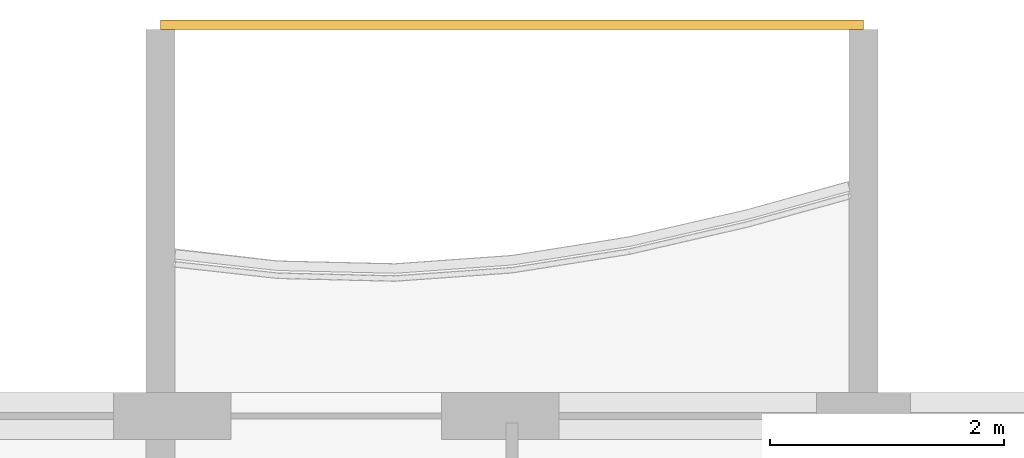
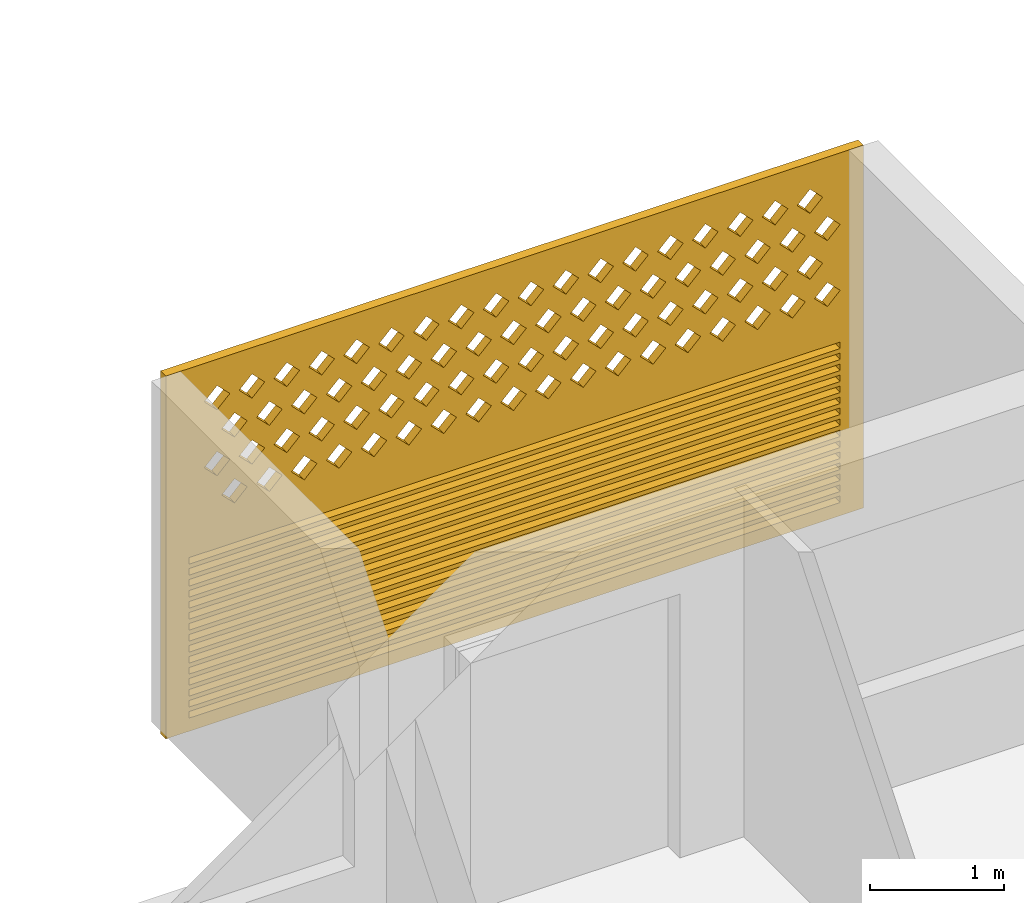
# One storey, part 25 of 27: 1 covering.
"""IFC4 building model written with IfcOpenShell, lengths in metres."""

from ifc_helpers import new_model, si_unit, direction, frame, origin, place, context, subcontext, project, spatial, polyline, outline, extrude, source, transform, mapped, material, material_profile, profile_set, type_object, element, save


model = new_model("IFC4")

# Units and contexts
model_context = context("Model", 3, precision=1e-05, world=origin(), true_north=direction((0.0, 1.0)))
body_context = subcontext(model_context, "Body", "Model", "MODEL_VIEW")
ifc_project = project(units=[si_unit("LENGTHUNIT", "METRE"), si_unit("AREAUNIT", "SQUARE_METRE"), si_unit("VOLUMEUNIT", "CUBIC_METRE"), si_unit("PLANEANGLEUNIT", "RADIAN"), si_unit("MASSUNIT", "GRAM", prefix="KILO")], contexts=[model_context])

# Site, building, storey
site_placement = place(None, origin())
site = spatial("IfcSite", under=ifc_project, at=site_placement, CompositionType="ELEMENT")
building_placement = place(site_placement, origin())
building = spatial("IfcBuilding", under=site, at=building_placement, Name="Poui Terraces", CompositionType="ELEMENT")
storey_placement = place(building_placement, frame((0.0, 0.0, 201.60009765625)))
storey = spatial("IfcBuildingStorey", under=building, at=storey_placement, Name="L56", CompositionType="ELEMENT", Elevation=201.60009765625)

# Covering
ifc_material = material(Name="Terracotta screen", Category="masonry")
ifc_material_profile = material_profile(ifc_material, outline(polyline([(-3.0, -1.64990234375), (3.0, -1.64990234375), (3.0, 1.64990234375), (-3.0, 1.64990234375), (-3.0, -1.64990234375)]), holes=[polyline([(-2.800048828125, 0.39990234375), (-2.68994140625, 0.2900390625), (-2.580078125, 0.39990234375), (-2.68994140625, 0.510009765625), (-2.800048828125, 0.39990234375)]), polyline([(-2.5, 0.39990234375), (-2.389892578125, 0.2900390625), (-2.280029296875, 0.39990234375), (-2.389892578125, 0.510009765625), (-2.5, 0.39990234375)]), polyline([(-2.199951171875, 0.39990234375), (-2.090087890625, 0.2900390625), (-1.97998046875, 0.39990234375), (-2.090087890625, 0.510009765625), (-2.199951171875, 0.39990234375)]), polyline([(-1.89990234375, 0.39990234375), (-1.7900390625, 0.2900390625), (-1.679931640625, 0.39990234375), (-1.7900390625, 0.510009765625), (-1.89990234375, 0.39990234375)]), polyline([(-1.60009765625, 0.39990234375), (-1.489990234375, 0.2900390625), (-1.3798828125, 0.39990234375), (-1.489990234375, 0.510009765625), (-1.60009765625, 0.39990234375)]), polyline([(-1.300048828125, 0.39990234375), (-1.18994140625, 0.2900390625), (-1.080078125, 0.39990234375), (-1.18994140625, 0.510009765625), (-1.300048828125, 0.39990234375)]), polyline([(-1.0, 0.39990234375), (-0.889892578125, 0.2900390625), (-0.780029296875, 0.39990234375), (-0.889892578125, 0.510009765625), (-1.0, 0.39990234375)]), polyline([(-0.699951171875, 0.39990234375), (-0.590087890625, 0.2900390625), (-0.47998046875, 0.39990234375), (-0.590087890625, 0.510009765625), (-0.699951171875, 0.39990234375)]), polyline([(-0.39990234375, 0.39990234375), (-0.2900390625, 0.2900390625), (-0.179931640625, 0.39990234375), (-0.2900390625, 0.510009765625), (-0.39990234375, 0.39990234375)]), polyline([(-0.10009765625, 0.39990234375), (0.010009765625, 0.2900390625), (0.1201171875, 0.39990234375), (0.010009765625, 0.510009765625), (-0.10009765625, 0.39990234375)]), polyline([(0.199951171875, 0.39990234375), (0.31005859375, 0.2900390625), (0.419921875, 0.39990234375), (0.31005859375, 0.510009765625), (0.199951171875, 0.39990234375)]), polyline([(0.5, 0.39990234375), (0.610107421875, 0.2900390625), (0.719970703125, 0.39990234375), (0.610107421875, 0.510009765625), (0.5, 0.39990234375)]), polyline([(0.800048828125, 0.39990234375), (0.909912109375, 0.2900390625), (1.02001953125, 0.39990234375), (0.909912109375, 0.510009765625), (0.800048828125, 0.39990234375)]), polyline([(1.10009765625, 0.39990234375), (1.2099609375, 0.2900390625), (1.320068359375, 0.39990234375), (1.2099609375, 0.510009765625), (1.10009765625, 0.39990234375)]), polyline([(1.39990234375, 0.39990234375), (1.510009765625, 0.2900390625), (1.6201171875, 0.39990234375), (1.510009765625, 0.510009765625), (1.39990234375, 0.39990234375)]), polyline([(1.699951171875, 0.39990234375), (1.81005859375, 0.2900390625), (1.919921875, 0.39990234375), (1.81005859375, 0.510009765625), (1.699951171875, 0.39990234375)]), polyline([(2.0, 0.39990234375), (2.110107421875, 0.2900390625), (2.219970703125, 0.39990234375), (2.110107421875, 0.510009765625), (2.0, 0.39990234375)]), polyline([(2.300048828125, 0.39990234375), (2.409912109375, 0.2900390625), (2.52001953125, 0.39990234375), (2.409912109375, 0.510009765625), (2.300048828125, 0.39990234375)]), polyline([(-2.64990234375, 0.699951171875), (-2.5400390625, 0.590087890625), (-2.429931640625, 0.699951171875), (-2.5400390625, 0.81005859375), (-2.64990234375, 0.699951171875)]), polyline([(-2.35009765625, 0.699951171875), (-2.239990234375, 0.590087890625), (-2.1298828125, 0.699951171875), (-2.239990234375, 0.81005859375), (-2.35009765625, 0.699951171875)]), polyline([(-2.050048828125, 0.699951171875), (-1.93994140625, 0.590087890625), (-1.830078125, 0.699951171875), (-1.93994140625, 0.81005859375), (-2.050048828125, 0.699951171875)]), polyline([(-1.75, 0.699951171875), (-1.639892578125, 0.590087890625), (-1.530029296875, 0.699951171875), (-1.639892578125, 0.81005859375), (-1.75, 0.699951171875)]), polyline([(-1.449951171875, 0.699951171875), (-1.340087890625, 0.590087890625), (-1.22998046875, 0.699951171875), (-1.340087890625, 0.81005859375), (-1.449951171875, 0.699951171875)]), polyline([(-1.14990234375, 0.699951171875), (-1.0400390625, 0.590087890625), (-0.929931640625, 0.699951171875), (-1.0400390625, 0.81005859375), (-1.14990234375, 0.699951171875)]), polyline([(-0.85009765625, 0.699951171875), (-0.739990234375, 0.590087890625), (-0.6298828125, 0.699951171875), (-0.739990234375, 0.81005859375), (-0.85009765625, 0.699951171875)]), polyline([(-0.550048828125, 0.699951171875), (-0.43994140625, 0.590087890625), (-0.330078125, 0.699951171875), (-0.43994140625, 0.81005859375), (-0.550048828125, 0.699951171875)]), polyline([(-0.25, 0.699951171875), (-0.139892578125, 0.590087890625), (-0.030029296875, 0.699951171875), (-0.139892578125, 0.81005859375), (-0.25, 0.699951171875)]), polyline([(0.050048828125, 0.699951171875), (0.159912109375, 0.590087890625), (0.27001953125, 0.699951171875), (0.159912109375, 0.81005859375), (0.050048828125, 0.699951171875)]), polyline([(0.35009765625, 0.699951171875), (0.4599609375, 0.590087890625), (0.570068359375, 0.699951171875), (0.4599609375, 0.81005859375), (0.35009765625, 0.699951171875)]), polyline([(0.64990234375, 0.699951171875), (0.760009765625, 0.590087890625), (0.8701171875, 0.699951171875), (0.760009765625, 0.81005859375), (0.64990234375, 0.699951171875)]), polyline([(0.949951171875, 0.699951171875), (1.06005859375, 0.590087890625), (1.169921875, 0.699951171875), (1.06005859375, 0.81005859375), (0.949951171875, 0.699951171875)]), polyline([(1.25, 0.699951171875), (1.360107421875, 0.590087890625), (1.469970703125, 0.699951171875), (1.360107421875, 0.81005859375), (1.25, 0.699951171875)]), polyline([(1.550048828125, 0.699951171875), (1.659912109375, 0.590087890625), (1.77001953125, 0.699951171875), (1.659912109375, 0.81005859375), (1.550048828125, 0.699951171875)]), polyline([(1.85009765625, 0.699951171875), (1.9599609375, 0.590087890625), (2.070068359375, 0.699951171875), (1.9599609375, 0.81005859375), (1.85009765625, 0.699951171875)]), polyline([(2.14990234375, 0.699951171875), (2.260009765625, 0.590087890625), (2.3701171875, 0.699951171875), (2.260009765625, 0.81005859375), (2.14990234375, 0.699951171875)]), polyline([(2.449951171875, 0.699951171875), (2.56005859375, 0.590087890625), (2.669921875, 0.699951171875), (2.56005859375, 0.81005859375), (2.449951171875, 0.699951171875)]), polyline([(-2.800048828125, 1.0), (-2.68994140625, 0.889892578125), (-2.580078125, 1.0), (-2.68994140625, 1.110107421875), (-2.800048828125, 1.0)]), polyline([(-2.5, 1.0), (-2.389892578125, 0.889892578125), (-2.280029296875, 1.0), (-2.389892578125, 1.110107421875), (-2.5, 1.0)]), polyline([(-2.199951171875, 1.0), (-2.090087890625, 0.889892578125), (-1.97998046875, 1.0), (-2.090087890625, 1.110107421875), (-2.199951171875, 1.0)]), polyline([(-1.89990234375, 1.0), (-1.7900390625, 0.889892578125), (-1.679931640625, 1.0), (-1.7900390625, 1.110107421875), (-1.89990234375, 1.0)]), polyline([(-1.60009765625, 1.0), (-1.489990234375, 0.889892578125), (-1.3798828125, 1.0), (-1.489990234375, 1.110107421875), (-1.60009765625, 1.0)]), polyline([(-1.300048828125, 1.0), (-1.18994140625, 0.889892578125), (-1.080078125, 1.0), (-1.18994140625, 1.110107421875), (-1.300048828125, 1.0)]), polyline([(-1.0, 1.0), (-0.889892578125, 0.889892578125), (-0.780029296875, 1.0), (-0.889892578125, 1.110107421875), (-1.0, 1.0)]), polyline([(-0.699951171875, 1.0), (-0.590087890625, 0.889892578125), (-0.47998046875, 1.0), (-0.590087890625, 1.110107421875), (-0.699951171875, 1.0)]), polyline([(-0.39990234375, 1.0), (-0.2900390625, 0.889892578125), (-0.179931640625, 1.0), (-0.2900390625, 1.110107421875), (-0.39990234375, 1.0)]), polyline([(-0.10009765625, 1.0), (0.010009765625, 0.889892578125), (0.1201171875, 1.0), (0.010009765625, 1.110107421875), (-0.10009765625, 1.0)]), polyline([(0.199951171875, 1.0), (0.31005859375, 0.889892578125), (0.419921875, 1.0), (0.31005859375, 1.110107421875), (0.199951171875, 1.0)]), polyline([(0.5, 1.0), (0.610107421875, 0.889892578125), (0.719970703125, 1.0), (0.610107421875, 1.110107421875), (0.5, 1.0)]), polyline([(0.800048828125, 1.0), (0.909912109375, 0.889892578125), (1.02001953125, 1.0), (0.909912109375, 1.110107421875), (0.800048828125, 1.0)]), polyline([(1.10009765625, 1.0), (1.2099609375, 0.889892578125), (1.320068359375, 1.0), (1.2099609375, 1.110107421875), (1.10009765625, 1.0)]), polyline([(1.39990234375, 1.0), (1.510009765625, 0.889892578125), (1.6201171875, 1.0), (1.510009765625, 1.110107421875), (1.39990234375, 1.0)]), polyline([(1.699951171875, 1.0), (1.81005859375, 0.889892578125), (1.919921875, 1.0), (1.81005859375, 1.110107421875), (1.699951171875, 1.0)]), polyline([(2.0, 1.0), (2.110107421875, 0.889892578125), (2.219970703125, 1.0), (2.110107421875, 1.110107421875), (2.0, 1.0)]), polyline([(2.300048828125, 1.0), (2.409912109375, 0.889892578125), (2.52001953125, 1.0), (2.409912109375, 1.110107421875), (2.300048828125, 1.0)]), polyline([(-2.64990234375, 1.300048828125), (-2.5400390625, 1.18994140625), (-2.429931640625, 1.300048828125), (-2.5400390625, 1.409912109375), (-2.64990234375, 1.300048828125)]), polyline([(-2.35009765625, 1.300048828125), (-2.239990234375, 1.18994140625), (-2.1298828125, 1.300048828125), (-2.239990234375, 1.409912109375), (-2.35009765625, 1.300048828125)]), polyline([(-2.050048828125, 1.300048828125), (-1.93994140625, 1.18994140625), (-1.830078125, 1.300048828125), (-1.93994140625, 1.409912109375), (-2.050048828125, 1.300048828125)]), polyline([(-1.75, 1.300048828125), (-1.639892578125, 1.18994140625), (-1.530029296875, 1.300048828125), (-1.639892578125, 1.409912109375), (-1.75, 1.300048828125)]), polyline([(-1.449951171875, 1.300048828125), (-1.340087890625, 1.18994140625), (-1.22998046875, 1.300048828125), (-1.340087890625, 1.409912109375), (-1.449951171875, 1.300048828125)]), polyline([(-1.14990234375, 1.300048828125), (-1.0400390625, 1.18994140625), (-0.929931640625, 1.300048828125), (-1.0400390625, 1.409912109375), (-1.14990234375, 1.300048828125)]), polyline([(-0.85009765625, 1.300048828125), (-0.739990234375, 1.18994140625), (-0.6298828125, 1.300048828125), (-0.739990234375, 1.409912109375), (-0.85009765625, 1.300048828125)]), polyline([(-0.550048828125, 1.300048828125), (-0.43994140625, 1.18994140625), (-0.330078125, 1.300048828125), (-0.43994140625, 1.409912109375), (-0.550048828125, 1.300048828125)]), polyline([(-0.25, 1.300048828125), (-0.139892578125, 1.18994140625), (-0.030029296875, 1.300048828125), (-0.139892578125, 1.409912109375), (-0.25, 1.300048828125)]), polyline([(0.050048828125, 1.300048828125), (0.159912109375, 1.18994140625), (0.27001953125, 1.300048828125), (0.159912109375, 1.409912109375), (0.050048828125, 1.300048828125)]), polyline([(0.35009765625, 1.300048828125), (0.4599609375, 1.18994140625), (0.570068359375, 1.300048828125), (0.4599609375, 1.409912109375), (0.35009765625, 1.300048828125)]), polyline([(0.64990234375, 1.300048828125), (0.760009765625, 1.18994140625), (0.8701171875, 1.300048828125), (0.760009765625, 1.409912109375), (0.64990234375, 1.300048828125)]), polyline([(0.949951171875, 1.300048828125), (1.06005859375, 1.18994140625), (1.169921875, 1.300048828125), (1.06005859375, 1.409912109375), (0.949951171875, 1.300048828125)]), polyline([(1.25, 1.300048828125), (1.360107421875, 1.18994140625), (1.469970703125, 1.300048828125), (1.360107421875, 1.409912109375), (1.25, 1.300048828125)]), polyline([(1.550048828125, 1.300048828125), (1.659912109375, 1.18994140625), (1.77001953125, 1.300048828125), (1.659912109375, 1.409912109375), (1.550048828125, 1.300048828125)]), polyline([(1.85009765625, 1.300048828125), (1.9599609375, 1.18994140625), (2.070068359375, 1.300048828125), (1.9599609375, 1.409912109375), (1.85009765625, 1.300048828125)]), polyline([(2.14990234375, 1.300048828125), (2.260009765625, 1.18994140625), (2.3701171875, 1.300048828125), (2.260009765625, 1.409912109375), (2.14990234375, 1.300048828125)]), polyline([(2.449951171875, 1.300048828125), (2.56005859375, 1.18994140625), (2.669921875, 1.300048828125), (2.56005859375, 1.409912109375), (2.449951171875, 1.300048828125)]), polyline([(-2.800048828125, -1.530029296875), (2.800048828125, -1.530029296875), (2.800048828125, -1.469970703125), (-2.800048828125, -1.469970703125), (-2.800048828125, -1.530029296875)]), polyline([(-2.800048828125, -1.429931640625), (2.800048828125, -1.429931640625), (2.800048828125, -1.3701171875), (-2.800048828125, -1.3701171875), (-2.800048828125, -1.429931640625)]), polyline([(-2.800048828125, -1.330078125), (2.800048828125, -1.330078125), (2.800048828125, -1.27001953125), (-2.800048828125, -1.27001953125), (-2.800048828125, -1.330078125)]), polyline([(-2.800048828125, -1.22998046875), (2.800048828125, -1.22998046875), (2.800048828125, -1.169921875), (-2.800048828125, -1.169921875), (-2.800048828125, -1.22998046875)]), polyline([(-2.800048828125, -1.1298828125), (2.800048828125, -1.1298828125), (2.800048828125, -1.070068359375), (-2.800048828125, -1.070068359375), (-2.800048828125, -1.1298828125)]), polyline([(-2.800048828125, -1.030029296875), (2.800048828125, -1.030029296875), (2.800048828125, -0.969970703125), (-2.800048828125, -0.969970703125), (-2.800048828125, -1.030029296875)]), polyline([(-2.800048828125, -0.929931640625), (2.800048828125, -0.929931640625), (2.800048828125, -0.8701171875), (-2.800048828125, -0.8701171875), (-2.800048828125, -0.929931640625)]), polyline([(-2.800048828125, -0.830078125), (2.800048828125, -0.830078125), (2.800048828125, -0.77001953125), (-2.800048828125, -0.77001953125), (-2.800048828125, -0.830078125)]), polyline([(-2.800048828125, -0.72998046875), (2.800048828125, -0.72998046875), (2.800048828125, -0.669921875), (-2.800048828125, -0.669921875), (-2.800048828125, -0.72998046875)]), polyline([(-2.800048828125, -0.6298828125), (2.800048828125, -0.6298828125), (2.800048828125, -0.570068359375), (-2.800048828125, -0.570068359375), (-2.800048828125, -0.6298828125)]), polyline([(-2.800048828125, -0.530029296875), (2.800048828125, -0.530029296875), (2.800048828125, -0.469970703125), (-2.800048828125, -0.469970703125), (-2.800048828125, -0.530029296875)]), polyline([(-2.800048828125, -0.429931640625), (2.800048828125, -0.429931640625), (2.800048828125, -0.3701171875), (-2.800048828125, -0.3701171875), (-2.800048828125, -0.429931640625)]), polyline([(-2.800048828125, -0.330078125), (2.800048828125, -0.330078125), (2.800048828125, -0.27001953125), (-2.800048828125, -0.27001953125), (-2.800048828125, -0.330078125)]), polyline([(-2.800048828125, -0.22998046875), (2.800048828125, -0.22998046875), (2.800048828125, -0.169921875), (-2.800048828125, -0.169921875), (-2.800048828125, -0.22998046875)]), polyline([(-2.800048828125, -0.1298828125), (2.800048828125, -0.1298828125), (2.800048828125, -0.070068359375), (-2.800048828125, -0.070068359375), (-2.800048828125, -0.1298828125)])]), Name="TERRACOTTA SCREEN AND JALOUSIE LOUVRE 6000X3300")
ifc_profile_set = profile_set([ifc_material_profile], Name="Terracotta screen")
covering_type = type_object("IfcCoveringType", Name="TERRACOTTA SCREEN AND JALOUSIE LOUVRE 6000X3300", PredefinedType="CLADDING", material=ifc_profile_set)
shared_shape = source(origin(), body_context, "Body", "SweptSolid", [
    extrude(outline(polyline([(-3.0, -1.64990234375), (3.0, -1.64990234375), (3.0, 1.64990234375), (-3.0, 1.64990234375), (-3.0, -1.64990234375)]), holes=[polyline([(-2.800048828125, 0.39990234375), (-2.68994140625, 0.2900390625), (-2.580078125, 0.39990234375), (-2.68994140625, 0.510009765625), (-2.800048828125, 0.39990234375)]), polyline([(-2.5, 0.39990234375), (-2.389892578125, 0.2900390625), (-2.280029296875, 0.39990234375), (-2.389892578125, 0.510009765625), (-2.5, 0.39990234375)]), polyline([(-2.199951171875, 0.39990234375), (-2.090087890625, 0.2900390625), (-1.97998046875, 0.39990234375), (-2.090087890625, 0.510009765625), (-2.199951171875, 0.39990234375)]), polyline([(-1.89990234375, 0.39990234375), (-1.7900390625, 0.2900390625), (-1.679931640625, 0.39990234375), (-1.7900390625, 0.510009765625), (-1.89990234375, 0.39990234375)]), polyline([(-1.60009765625, 0.39990234375), (-1.489990234375, 0.2900390625), (-1.3798828125, 0.39990234375), (-1.489990234375, 0.510009765625), (-1.60009765625, 0.39990234375)]), polyline([(-1.300048828125, 0.39990234375), (-1.18994140625, 0.2900390625), (-1.080078125, 0.39990234375), (-1.18994140625, 0.510009765625), (-1.300048828125, 0.39990234375)]), polyline([(-1.0, 0.39990234375), (-0.889892578125, 0.2900390625), (-0.780029296875, 0.39990234375), (-0.889892578125, 0.510009765625), (-1.0, 0.39990234375)]), polyline([(-0.699951171875, 0.39990234375), (-0.590087890625, 0.2900390625), (-0.47998046875, 0.39990234375), (-0.590087890625, 0.510009765625), (-0.699951171875, 0.39990234375)]), polyline([(-0.39990234375, 0.39990234375), (-0.2900390625, 0.2900390625), (-0.179931640625, 0.39990234375), (-0.2900390625, 0.510009765625), (-0.39990234375, 0.39990234375)]), polyline([(-0.10009765625, 0.39990234375), (0.010009765625, 0.2900390625), (0.1201171875, 0.39990234375), (0.010009765625, 0.510009765625), (-0.10009765625, 0.39990234375)]), polyline([(0.199951171875, 0.39990234375), (0.31005859375, 0.2900390625), (0.419921875, 0.39990234375), (0.31005859375, 0.510009765625), (0.199951171875, 0.39990234375)]), polyline([(0.5, 0.39990234375), (0.610107421875, 0.2900390625), (0.719970703125, 0.39990234375), (0.610107421875, 0.510009765625), (0.5, 0.39990234375)]), polyline([(0.800048828125, 0.39990234375), (0.909912109375, 0.2900390625), (1.02001953125, 0.39990234375), (0.909912109375, 0.510009765625), (0.800048828125, 0.39990234375)]), polyline([(1.10009765625, 0.39990234375), (1.2099609375, 0.2900390625), (1.320068359375, 0.39990234375), (1.2099609375, 0.510009765625), (1.10009765625, 0.39990234375)]), polyline([(1.39990234375, 0.39990234375), (1.510009765625, 0.2900390625), (1.6201171875, 0.39990234375), (1.510009765625, 0.510009765625), (1.39990234375, 0.39990234375)]), polyline([(1.699951171875, 0.39990234375), (1.81005859375, 0.2900390625), (1.919921875, 0.39990234375), (1.81005859375, 0.510009765625), (1.699951171875, 0.39990234375)]), polyline([(2.0, 0.39990234375), (2.110107421875, 0.2900390625), (2.219970703125, 0.39990234375), (2.110107421875, 0.510009765625), (2.0, 0.39990234375)]), polyline([(2.300048828125, 0.39990234375), (2.409912109375, 0.2900390625), (2.52001953125, 0.39990234375), (2.409912109375, 0.510009765625), (2.300048828125, 0.39990234375)]), polyline([(-2.64990234375, 0.699951171875), (-2.5400390625, 0.590087890625), (-2.429931640625, 0.699951171875), (-2.5400390625, 0.81005859375), (-2.64990234375, 0.699951171875)]), polyline([(-2.35009765625, 0.699951171875), (-2.239990234375, 0.590087890625), (-2.1298828125, 0.699951171875), (-2.239990234375, 0.81005859375), (-2.35009765625, 0.699951171875)]), polyline([(-2.050048828125, 0.699951171875), (-1.93994140625, 0.590087890625), (-1.830078125, 0.699951171875), (-1.93994140625, 0.81005859375), (-2.050048828125, 0.699951171875)]), polyline([(-1.75, 0.699951171875), (-1.639892578125, 0.590087890625), (-1.530029296875, 0.699951171875), (-1.639892578125, 0.81005859375), (-1.75, 0.699951171875)]), polyline([(-1.449951171875, 0.699951171875), (-1.340087890625, 0.590087890625), (-1.22998046875, 0.699951171875), (-1.340087890625, 0.81005859375), (-1.449951171875, 0.699951171875)]), polyline([(-1.14990234375, 0.699951171875), (-1.0400390625, 0.590087890625), (-0.929931640625, 0.699951171875), (-1.0400390625, 0.81005859375), (-1.14990234375, 0.699951171875)]), polyline([(-0.85009765625, 0.699951171875), (-0.739990234375, 0.590087890625), (-0.6298828125, 0.699951171875), (-0.739990234375, 0.81005859375), (-0.85009765625, 0.699951171875)]), polyline([(-0.550048828125, 0.699951171875), (-0.43994140625, 0.590087890625), (-0.330078125, 0.699951171875), (-0.43994140625, 0.81005859375), (-0.550048828125, 0.699951171875)]), polyline([(-0.25, 0.699951171875), (-0.139892578125, 0.590087890625), (-0.030029296875, 0.699951171875), (-0.139892578125, 0.81005859375), (-0.25, 0.699951171875)]), polyline([(0.050048828125, 0.699951171875), (0.159912109375, 0.590087890625), (0.27001953125, 0.699951171875), (0.159912109375, 0.81005859375), (0.050048828125, 0.699951171875)]), polyline([(0.35009765625, 0.699951171875), (0.4599609375, 0.590087890625), (0.570068359375, 0.699951171875), (0.4599609375, 0.81005859375), (0.35009765625, 0.699951171875)]), polyline([(0.64990234375, 0.699951171875), (0.760009765625, 0.590087890625), (0.8701171875, 0.699951171875), (0.760009765625, 0.81005859375), (0.64990234375, 0.699951171875)]), polyline([(0.949951171875, 0.699951171875), (1.06005859375, 0.590087890625), (1.169921875, 0.699951171875), (1.06005859375, 0.81005859375), (0.949951171875, 0.699951171875)]), polyline([(1.25, 0.699951171875), (1.360107421875, 0.590087890625), (1.469970703125, 0.699951171875), (1.360107421875, 0.81005859375), (1.25, 0.699951171875)]), polyline([(1.550048828125, 0.699951171875), (1.659912109375, 0.590087890625), (1.77001953125, 0.699951171875), (1.659912109375, 0.81005859375), (1.550048828125, 0.699951171875)]), polyline([(1.85009765625, 0.699951171875), (1.9599609375, 0.590087890625), (2.070068359375, 0.699951171875), (1.9599609375, 0.81005859375), (1.85009765625, 0.699951171875)]), polyline([(2.14990234375, 0.699951171875), (2.260009765625, 0.590087890625), (2.3701171875, 0.699951171875), (2.260009765625, 0.81005859375), (2.14990234375, 0.699951171875)]), polyline([(2.449951171875, 0.699951171875), (2.56005859375, 0.590087890625), (2.669921875, 0.699951171875), (2.56005859375, 0.81005859375), (2.449951171875, 0.699951171875)]), polyline([(-2.800048828125, 1.0), (-2.68994140625, 0.889892578125), (-2.580078125, 1.0), (-2.68994140625, 1.110107421875), (-2.800048828125, 1.0)]), polyline([(-2.5, 1.0), (-2.389892578125, 0.889892578125), (-2.280029296875, 1.0), (-2.389892578125, 1.110107421875), (-2.5, 1.0)]), polyline([(-2.199951171875, 1.0), (-2.090087890625, 0.889892578125), (-1.97998046875, 1.0), (-2.090087890625, 1.110107421875), (-2.199951171875, 1.0)]), polyline([(-1.89990234375, 1.0), (-1.7900390625, 0.889892578125), (-1.679931640625, 1.0), (-1.7900390625, 1.110107421875), (-1.89990234375, 1.0)]), polyline([(-1.60009765625, 1.0), (-1.489990234375, 0.889892578125), (-1.3798828125, 1.0), (-1.489990234375, 1.110107421875), (-1.60009765625, 1.0)]), polyline([(-1.300048828125, 1.0), (-1.18994140625, 0.889892578125), (-1.080078125, 1.0), (-1.18994140625, 1.110107421875), (-1.300048828125, 1.0)]), polyline([(-1.0, 1.0), (-0.889892578125, 0.889892578125), (-0.780029296875, 1.0), (-0.889892578125, 1.110107421875), (-1.0, 1.0)]), polyline([(-0.699951171875, 1.0), (-0.590087890625, 0.889892578125), (-0.47998046875, 1.0), (-0.590087890625, 1.110107421875), (-0.699951171875, 1.0)]), polyline([(-0.39990234375, 1.0), (-0.2900390625, 0.889892578125), (-0.179931640625, 1.0), (-0.2900390625, 1.110107421875), (-0.39990234375, 1.0)]), polyline([(-0.10009765625, 1.0), (0.010009765625, 0.889892578125), (0.1201171875, 1.0), (0.010009765625, 1.110107421875), (-0.10009765625, 1.0)]), polyline([(0.199951171875, 1.0), (0.31005859375, 0.889892578125), (0.419921875, 1.0), (0.31005859375, 1.110107421875), (0.199951171875, 1.0)]), polyline([(0.5, 1.0), (0.610107421875, 0.889892578125), (0.719970703125, 1.0), (0.610107421875, 1.110107421875), (0.5, 1.0)]), polyline([(0.800048828125, 1.0), (0.909912109375, 0.889892578125), (1.02001953125, 1.0), (0.909912109375, 1.110107421875), (0.800048828125, 1.0)]), polyline([(1.10009765625, 1.0), (1.2099609375, 0.889892578125), (1.320068359375, 1.0), (1.2099609375, 1.110107421875), (1.10009765625, 1.0)]), polyline([(1.39990234375, 1.0), (1.510009765625, 0.889892578125), (1.6201171875, 1.0), (1.510009765625, 1.110107421875), (1.39990234375, 1.0)]), polyline([(1.699951171875, 1.0), (1.81005859375, 0.889892578125), (1.919921875, 1.0), (1.81005859375, 1.110107421875), (1.699951171875, 1.0)]), polyline([(2.0, 1.0), (2.110107421875, 0.889892578125), (2.219970703125, 1.0), (2.110107421875, 1.110107421875), (2.0, 1.0)]), polyline([(2.300048828125, 1.0), (2.409912109375, 0.889892578125), (2.52001953125, 1.0), (2.409912109375, 1.110107421875), (2.300048828125, 1.0)]), polyline([(-2.64990234375, 1.300048828125), (-2.5400390625, 1.18994140625), (-2.429931640625, 1.300048828125), (-2.5400390625, 1.409912109375), (-2.64990234375, 1.300048828125)]), polyline([(-2.35009765625, 1.300048828125), (-2.239990234375, 1.18994140625), (-2.1298828125, 1.300048828125), (-2.239990234375, 1.409912109375), (-2.35009765625, 1.300048828125)]), polyline([(-2.050048828125, 1.300048828125), (-1.93994140625, 1.18994140625), (-1.830078125, 1.300048828125), (-1.93994140625, 1.409912109375), (-2.050048828125, 1.300048828125)]), polyline([(-1.75, 1.300048828125), (-1.639892578125, 1.18994140625), (-1.530029296875, 1.300048828125), (-1.639892578125, 1.409912109375), (-1.75, 1.300048828125)]), polyline([(-1.449951171875, 1.300048828125), (-1.340087890625, 1.18994140625), (-1.22998046875, 1.300048828125), (-1.340087890625, 1.409912109375), (-1.449951171875, 1.300048828125)]), polyline([(-1.14990234375, 1.300048828125), (-1.0400390625, 1.18994140625), (-0.929931640625, 1.300048828125), (-1.0400390625, 1.409912109375), (-1.14990234375, 1.300048828125)]), polyline([(-0.85009765625, 1.300048828125), (-0.739990234375, 1.18994140625), (-0.6298828125, 1.300048828125), (-0.739990234375, 1.409912109375), (-0.85009765625, 1.300048828125)]), polyline([(-0.550048828125, 1.300048828125), (-0.43994140625, 1.18994140625), (-0.330078125, 1.300048828125), (-0.43994140625, 1.409912109375), (-0.550048828125, 1.300048828125)]), polyline([(-0.25, 1.300048828125), (-0.139892578125, 1.18994140625), (-0.030029296875, 1.300048828125), (-0.139892578125, 1.409912109375), (-0.25, 1.300048828125)]), polyline([(0.050048828125, 1.300048828125), (0.159912109375, 1.18994140625), (0.27001953125, 1.300048828125), (0.159912109375, 1.409912109375), (0.050048828125, 1.300048828125)]), polyline([(0.35009765625, 1.300048828125), (0.4599609375, 1.18994140625), (0.570068359375, 1.300048828125), (0.4599609375, 1.409912109375), (0.35009765625, 1.300048828125)]), polyline([(0.64990234375, 1.300048828125), (0.760009765625, 1.18994140625), (0.8701171875, 1.300048828125), (0.760009765625, 1.409912109375), (0.64990234375, 1.300048828125)]), polyline([(0.949951171875, 1.300048828125), (1.06005859375, 1.18994140625), (1.169921875, 1.300048828125), (1.06005859375, 1.409912109375), (0.949951171875, 1.300048828125)]), polyline([(1.25, 1.300048828125), (1.360107421875, 1.18994140625), (1.469970703125, 1.300048828125), (1.360107421875, 1.409912109375), (1.25, 1.300048828125)]), polyline([(1.550048828125, 1.300048828125), (1.659912109375, 1.18994140625), (1.77001953125, 1.300048828125), (1.659912109375, 1.409912109375), (1.550048828125, 1.300048828125)]), polyline([(1.85009765625, 1.300048828125), (1.9599609375, 1.18994140625), (2.070068359375, 1.300048828125), (1.9599609375, 1.409912109375), (1.85009765625, 1.300048828125)]), polyline([(2.14990234375, 1.300048828125), (2.260009765625, 1.18994140625), (2.3701171875, 1.300048828125), (2.260009765625, 1.409912109375), (2.14990234375, 1.300048828125)]), polyline([(2.449951171875, 1.300048828125), (2.56005859375, 1.18994140625), (2.669921875, 1.300048828125), (2.56005859375, 1.409912109375), (2.449951171875, 1.300048828125)]), polyline([(-2.800048828125, -1.530029296875), (2.800048828125, -1.530029296875), (2.800048828125, -1.469970703125), (-2.800048828125, -1.469970703125), (-2.800048828125, -1.530029296875)]), polyline([(-2.800048828125, -1.429931640625), (2.800048828125, -1.429931640625), (2.800048828125, -1.3701171875), (-2.800048828125, -1.3701171875), (-2.800048828125, -1.429931640625)]), polyline([(-2.800048828125, -1.330078125), (2.800048828125, -1.330078125), (2.800048828125, -1.27001953125), (-2.800048828125, -1.27001953125), (-2.800048828125, -1.330078125)]), polyline([(-2.800048828125, -1.22998046875), (2.800048828125, -1.22998046875), (2.800048828125, -1.169921875), (-2.800048828125, -1.169921875), (-2.800048828125, -1.22998046875)]), polyline([(-2.800048828125, -1.1298828125), (2.800048828125, -1.1298828125), (2.800048828125, -1.070068359375), (-2.800048828125, -1.070068359375), (-2.800048828125, -1.1298828125)]), polyline([(-2.800048828125, -1.030029296875), (2.800048828125, -1.030029296875), (2.800048828125, -0.969970703125), (-2.800048828125, -0.969970703125), (-2.800048828125, -1.030029296875)]), polyline([(-2.800048828125, -0.929931640625), (2.800048828125, -0.929931640625), (2.800048828125, -0.8701171875), (-2.800048828125, -0.8701171875), (-2.800048828125, -0.929931640625)]), polyline([(-2.800048828125, -0.830078125), (2.800048828125, -0.830078125), (2.800048828125, -0.77001953125), (-2.800048828125, -0.77001953125), (-2.800048828125, -0.830078125)]), polyline([(-2.800048828125, -0.72998046875), (2.800048828125, -0.72998046875), (2.800048828125, -0.669921875), (-2.800048828125, -0.669921875), (-2.800048828125, -0.72998046875)]), polyline([(-2.800048828125, -0.6298828125), (2.800048828125, -0.6298828125), (2.800048828125, -0.570068359375), (-2.800048828125, -0.570068359375), (-2.800048828125, -0.6298828125)]), polyline([(-2.800048828125, -0.530029296875), (2.800048828125, -0.530029296875), (2.800048828125, -0.469970703125), (-2.800048828125, -0.469970703125), (-2.800048828125, -0.530029296875)]), polyline([(-2.800048828125, -0.429931640625), (2.800048828125, -0.429931640625), (2.800048828125, -0.3701171875), (-2.800048828125, -0.3701171875), (-2.800048828125, -0.429931640625)]), polyline([(-2.800048828125, -0.330078125), (2.800048828125, -0.330078125), (2.800048828125, -0.27001953125), (-2.800048828125, -0.27001953125), (-2.800048828125, -0.330078125)]), polyline([(-2.800048828125, -0.22998046875), (2.800048828125, -0.22998046875), (2.800048828125, -0.169921875), (-2.800048828125, -0.169921875), (-2.800048828125, -0.22998046875)]), polyline([(-2.800048828125, -0.1298828125), (2.800048828125, -0.1298828125), (2.800048828125, -0.070068359375), (-2.800048828125, -0.070068359375), (-2.800048828125, -0.1298828125)])]), origin(), (0.0, 0.0, 1.0), 0.080078125),
])
covering_placement = place(storey_placement, frame((63.0, 44.5, 1.449951171875), z_axis=(0.0, 1.0, 0.0), x_axis=(-1.0, 0.0, 0.0)))
element("IfcCovering", 1, at=covering_placement, inside=storey, type_object=covering_type, Name="SOLAR SCREEN AND JALOUSIE LOUVRE", PredefinedType="CLADDING", context=body_context, shape_type="MappedRepresentation", body=[
    mapped(shared_shape, transform((0.0, 0.0, 0.0))),
])

save(model, "model.ifc")
